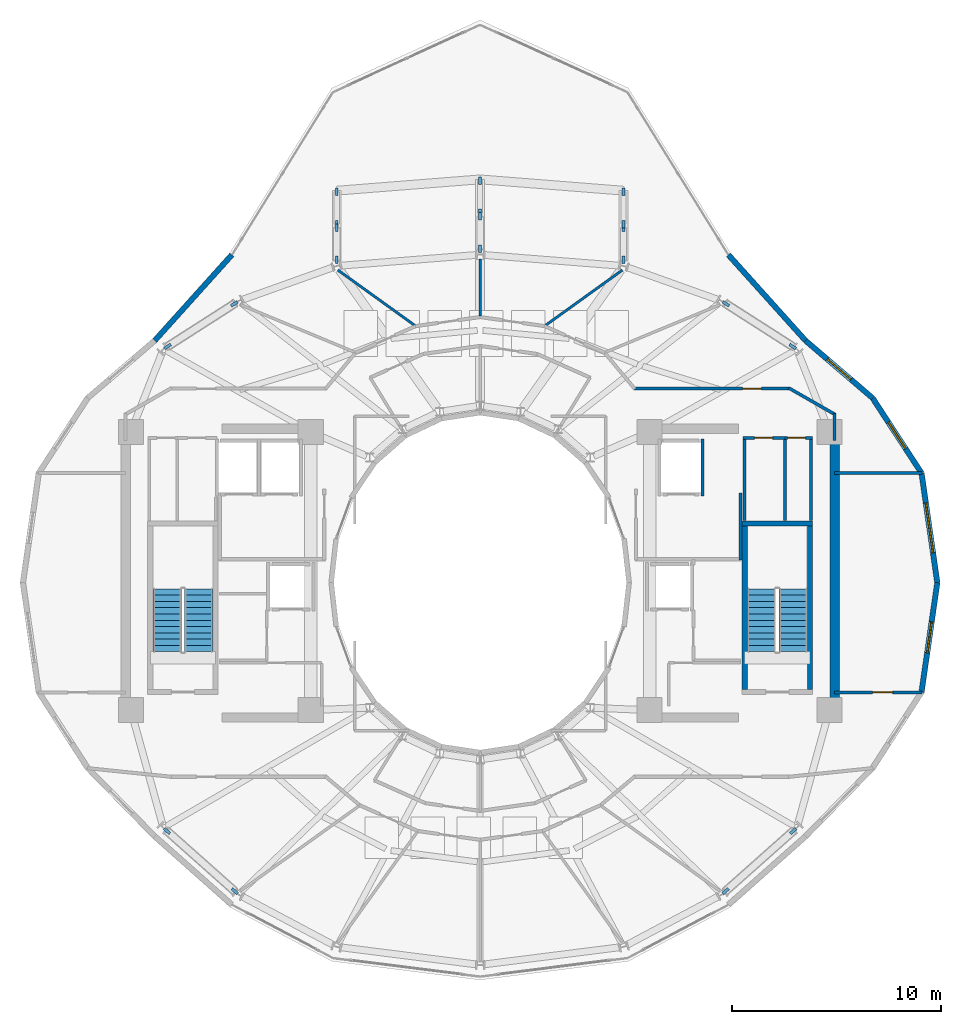
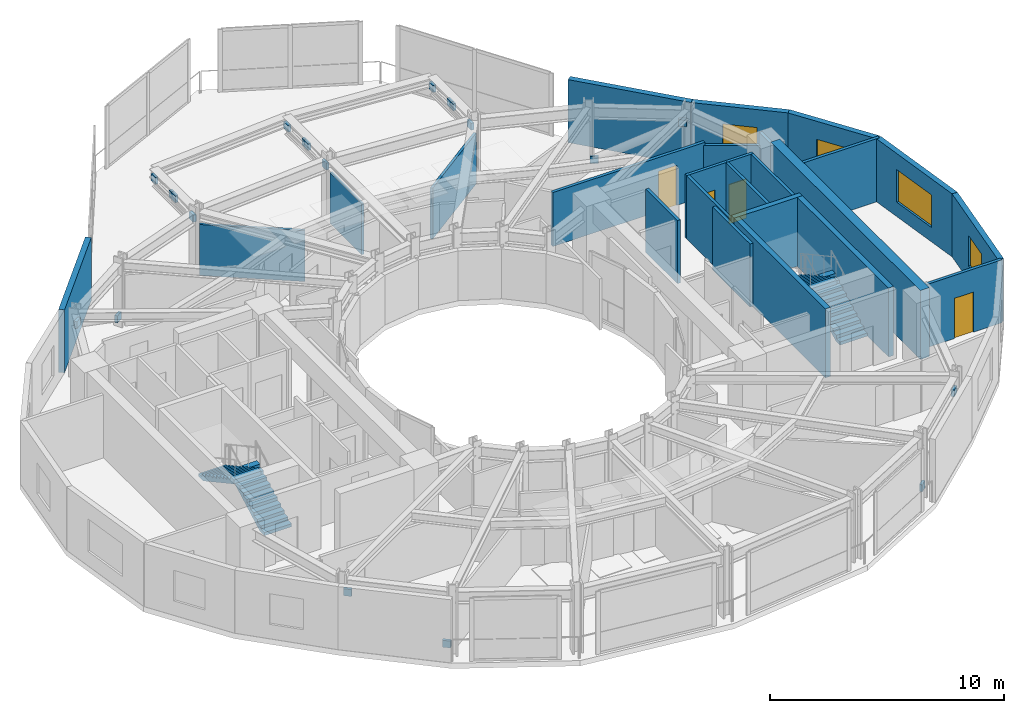
# One storey, part 21 of 24: 25 walls, 20 discrete accessories, 4 doors, 4 stair flights, 4 windows, 8 openings, 2 elements without a shape of their own.
"""IFC4 building model written with IfcOpenShell, lengths in metres."""

from ifc_helpers import new_model, si_unit, direction, frame, frame_2d, origin, origin_2d, place, context, subcontext, project, spatial, polyline, rectangle, outline, extrude, material, layer, layer_set, type_object, element, fill, aggregate, save


model = new_model("IFC4")

# Units and contexts
model_context = context("Model", 3, precision=1e-05, world=origin(), true_north=direction((0.0, 1.0)))
body_context = subcontext(model_context, "Body", "Model", "MODEL_VIEW")
ifc_project = project(units=[si_unit("LENGTHUNIT", "METRE"), si_unit("AREAUNIT", "SQUARE_METRE"), si_unit("VOLUMEUNIT", "CUBIC_METRE"), si_unit("PLANEANGLEUNIT", "RADIAN"), si_unit("MASSUNIT", "GRAM", prefix="KILO")], contexts=[model_context])

# Site, building, storey
site_placement = place(None, origin())
site = spatial("IfcSite", under=ifc_project, at=site_placement, CompositionType="ELEMENT")
building_placement = place(site_placement, origin())
building = spatial("IfcBuilding", under=site, at=building_placement, Name="Solvane Sanctuary Tower", CompositionType="ELEMENT")
storey_placement = place(building_placement, frame((0.0, 0.0, 246.0)))
storey = spatial("IfcBuildingStorey", under=building, at=storey_placement, Name="L75", CompositionType="ELEMENT", Elevation=246.0)

# Walls
ifc_material_1 = material(Name="Concrete C50/60", Category="concrete")
ifc_layer_1 = layer(ifc_material_1, 0.449951171875, Name="Concrete C50/60")
ifc_layer_set_1 = layer_set([ifc_layer_1], Name="Concrete C50/60")
wall_type_1 = type_object("IfcWallType", Name="Wall W-CORE-450", PredefinedType="SHEAR", material=ifc_layer_set_1)
wall_1_placement = place(storey_placement, frame((48.949951171875, 17.050048828125, 0.0), z_axis=(0.0, 0.0, 1.0), x_axis=(0.0, 1.0, 0.0)))
element("IfcWall", 1, at=wall_1_placement, inside=storey, type_object=wall_type_1, Name="L75 Core Shear Wall EC-E", PredefinedType="SHEAR", context=body_context, shape_type="SweptSolid", body=[
    extrude(rectangle(XDim=12.800048828125, YDim=0.449951171875, at=frame_2d((6.39990234375, 0.0))), origin(), (0.0, 0.0, 1.0), 3.60009765625),
])
ifc_material_2 = material(Name="Acoustic Gypsum Partition Board")
ifc_layer_2 = layer(ifc_material_2, 0.14990234375, Name="Acoustic Gypsum Partition Board")
ifc_layer_set_2 = layer_set([ifc_layer_2], Name="Acoustic Gypsum Partition Board")
wall_type_2 = type_object("IfcWallType", Name="Wall W-CORR-150", PredefinedType="PARTITIONING", material=ifc_layer_set_2)
wall_2_placement = place(storey_placement, frame((44.449951171875, 24.080078125, 0.0), z_axis=(0.0, 0.0, 1.0), x_axis=(0.0, 1.0, 0.0)))
element("IfcWall", 2, at=wall_2_placement, inside=storey, type_object=wall_type_2, Name="L75 East Firefighting Lobby East Wall", PredefinedType="PARTITIONING", context=body_context, shape_type="SweptSolid", body=[
    extrude(rectangle(XDim=3.199951171875, YDim=0.14990234375, at=frame_2d((1.60009765625, 0.0))), origin(), (0.0, 0.0, 1.0), 3.294921875),
])

# Wall, opening, door
wall_3_placement = place(storey_placement, frame((48.949951171875, 17.754638671875, 0.0), z_axis=(0.0, 0.0, 1.0), x_axis=(1.0, 0.0, 0.0)))
wall_3 = element("IfcWall", 3, at=wall_3_placement, inside=storey, type_object=wall_type_2, Name="L75 East Shoulder South Wall", PredefinedType="PARTITIONING", context=body_context, shape_type="SweptSolid", body=[
    extrude(rectangle(XDim=4.174560546875, YDim=0.14990234375, at=frame_2d((2.08740234375, 0.0))), origin(), (0.0, 0.0, 1.0), 3.294921875),
])
opening_1_placement = place(wall_3_placement, frame((1.817138671875, 0.0, 0.0)))
opening_1 = element("IfcOpeningElement", 4, at=opening_1_placement, cuts=wall_3, Name="Opening D-L75-17", PredefinedType="OPENING", context=body_context, shape_type="SweptSolid", body=[
    extrude(rectangle(XDim=0.949951171875, YDim=2.10009765625, at=frame_2d((0.47509765625, 1.050048828125))), frame((0.0, 0.0849609375, 0.0), z_axis=(0.0, -1.0, 0.0), x_axis=(1.0, 0.0, 0.0)), (0.0, 0.0, 1.0), 0.169921875),
])
ifc_material_3 = material(Name="Engineered Tropical Hardwood", Category="wood")
door_type_1 = type_object("IfcDoorType", Name="Door D-ROOM-950", OperationType="NOTDEFINED", PredefinedType="DOOR", material=ifc_material_3)
door_1_placement = place(opening_1_placement, origin())
door_1 = element("IfcDoor", 5, at=door_1_placement, inside=storey, type_object=door_type_1, Name="L75 East Shoulder South Door", OperationType="SINGLE_SWING_RIGHT", OverallHeight=2.10009765625, OverallWidth=0.949951171875, PredefinedType="DOOR", context=body_context, shape_type="SweptSolid", body=[
    extrude(rectangle(XDim=0.949951171875, YDim=2.10009765625, at=frame_2d((0.47509765625, 1.050048828125))), frame((0.0, 0.02490234375, 0.0), z_axis=(0.0, -1.0, 0.0), x_axis=(1.0, 0.0, 0.0)), (0.0, 0.0, 1.0), 0.050048828125),
])
fill(opening_1, door_1)

# Walls
wall_4_placement = place(storey_placement, frame((48.949951171875, 28.245361328125, 0.0), z_axis=(0.0, 0.0, 1.0), x_axis=(1.0, 0.0, 0.0)))
element("IfcWall", 6, at=wall_4_placement, inside=storey, type_object=wall_type_2, Name="L75 East Shoulder North Wall", PredefinedType="PARTITIONING", context=body_context, shape_type="SweptSolid", body=[
    extrude(rectangle(XDim=4.174560546875, YDim=0.14990234375, at=frame_2d((2.08740234375, 0.0))), origin(), (0.0, 0.0, 1.0), 3.294921875),
])
wall_5_placement = place(storey_placement, frame((48.949951171875, 29.800048828125, 0.0), z_axis=(0.0, 0.0, 1.0), x_axis=(0.0, 1.0, 0.0)))
element("IfcWall", 7, at=wall_5_placement, inside=storey, type_object=wall_type_2, Name="L75 NE Corner Closer 1", PredefinedType="PARTITIONING", context=body_context, shape_type="SweptSolid", body=[
    extrude(rectangle(XDim=1.2900390625, YDim=0.14990234375, at=frame_2d((0.64501953125, 0.0))), origin(), (0.0, 0.0, 1.0), 3.294921875),
])

# Wall, opening, door
wall_6_placement = place(storey_placement, frame((39.330078125, 32.280029296875, 0.0), z_axis=(0.0, 0.0, 1.0), x_axis=(1.0, 0.0, 0.0)))
wall_6 = element("IfcWall", 8, at=wall_6_placement, inside=storey, type_object=wall_type_2, Name="L75 NE Corner Corridor Wall", PredefinedType="PARTITIONING", context=body_context, shape_type="SweptSolid", body=[
    extrude(rectangle(XDim=7.52001953125, YDim=0.14990234375, at=frame_2d((3.760009765625, 0.0))), origin(), (0.0, 0.0, 1.0), 2.81591796875),
])
opening_2_placement = place(wall_6_placement, frame((5.219970703125, 0.0, 0.0)))
opening_2 = element("IfcOpeningElement", 9, at=opening_2_placement, cuts=wall_6, Name="Opening D-L75-19", PredefinedType="OPENING", context=body_context, shape_type="SweptSolid", body=[
    extrude(rectangle(XDim=0.89990234375, YDim=2.10009765625, at=frame_2d((0.449951171875, 1.050048828125))), frame((0.0, 0.0849609375, 0.0), z_axis=(0.0, -1.0, 0.0), x_axis=(1.0, 0.0, 0.0)), (0.0, 0.0, 1.0), 0.169921875),
])
door_type_2 = type_object("IfcDoorType", Name="Door D-WET-900", OperationType="NOTDEFINED", PredefinedType="DOOR", material=ifc_material_3)
door_2_placement = place(opening_2_placement, origin())
door_2 = element("IfcDoor", 10, at=door_2_placement, inside=storey, type_object=door_type_2, Name="L75 NE Corner Salon Door", OperationType="SINGLE_SWING_RIGHT", OverallHeight=2.10009765625, OverallWidth=0.89990234375, PredefinedType="DOOR", context=body_context, shape_type="SweptSolid", body=[
    extrude(rectangle(XDim=0.89990234375, YDim=2.10009765625, at=frame_2d((0.449951171875, 1.050048828125))), frame((0.0, 0.02490234375, 0.0), z_axis=(0.0, -1.0, 0.0), x_axis=(1.0, 0.0, 0.0)), (0.0, 0.0, 1.0), 0.050048828125),
])
fill(opening_2, door_2)

# Wall
wall_7_placement = place(storey_placement, frame((46.756591796875, 32.3046875, 0.0), z_axis=(0.0, 0.0, 1.0), x_axis=(0.867991349648, -0.496579315857, 0.0)))
element("IfcWall", 11, at=wall_7_placement, inside=storey, type_object=wall_type_2, Name="L75 NE Corner Wing Wall", PredefinedType="PARTITIONING", context=body_context, shape_type="SweptSolid", body=[
    extrude(rectangle(XDim=2.56689453125, YDim=0.14990234375, at=frame_2d((1.283447265625, 0.0))), origin(), (0.0, 0.0, 1.0), 2.659912109375),
])

# Wall, opening, window
ifc_material_4 = material(Name="Precast concrete C40/50", Category="concrete")
ifc_layer_3 = layer(ifc_material_4, 0.260009765625, Name="Precast concrete C40/50")
ifc_layer_set_3 = layer_set([ifc_layer_3], Name="Precast concrete C40/50")
wall_type_3 = type_object("IfcWallType", Name="Wall W-EXT-250", PredefinedType="STANDARD", material=ifc_layer_set_3)
wall_8_placement = place(storey_placement, frame((53.860107421875, 23.0, 0.0), z_axis=(0.0, 0.0, 1.0), x_axis=(-0.142712754019, 0.989764148593, 0.0)))
wall_8 = element("IfcWall", 12, at=wall_8_placement, inside=storey, type_object=wall_type_3, Name="L75 Ceramic-Printed Facade Wall 00", PredefinedType="STANDARD", context=body_context, shape_type="SweptSolid", body=[
    extrude(rectangle(XDim=5.29296875, YDim=0.260009765625, at=frame_2d((2.646484375, 0.0))), origin(), (0.0, 0.0, 1.0), 3.2900390625),
])
opening_3_placement = place(wall_8_placement, frame((1.446533203125, 0.0, 0.75)))
opening_3 = element("IfcOpeningElement", 13, at=opening_3_placement, cuts=wall_8, Name="Opening WN-RIB-2400", PredefinedType="OPENING", context=body_context, shape_type="SweptSolid", body=[
    extrude(rectangle(XDim=2.39990234375, YDim=1.699951171875, at=frame_2d((1.199951171875, 0.85009765625))), frame((0.0, 0.139892578125, 0.0), z_axis=(0.0, -1.0, 0.0), x_axis=(1.0, 0.0, 0.0)), (0.0, 0.0, 1.0), 0.280029296875),
])
ifc_material_5 = material(Name="Dark Ceramic-Fritted Low-E Glass", Category="glass")
window_type_1 = type_object("IfcWindowType", Name="Window WN-RIB-2400", PartitioningType="SINGLE_PANEL", PredefinedType="WINDOW", material=ifc_material_5)
window_1_placement = place(opening_3_placement, origin())
window_1 = element("IfcWindow", 14, at=window_1_placement, inside=storey, type_object=window_type_1, Name="L75 Operable Facade Window 00", OverallHeight=1.699951171875, OverallWidth=2.39990234375, PartitioningType="SINGLE_PANEL", PredefinedType="WINDOW", context=body_context, shape_type="SweptSolid", body=[
    extrude(rectangle(XDim=2.39990234375, YDim=1.699951171875, at=frame_2d((1.199951171875, 0.85009765625))), frame((0.0, 0.030029296875, 0.0), z_axis=(0.0, -1.0, 0.0), x_axis=(1.0, 0.0, 0.0)), (0.0, 0.0, 1.0), 0.06005859375),
])
fill(opening_3, window_1)

wall_9_placement = place(storey_placement, frame((53.104736328125, 28.23876953125, 0.0), z_axis=(0.0, 0.0, 1.0), x_axis=(-0.546606419826, 0.837389647539, 0.0)))
wall_9 = element("IfcWall", 15, at=wall_9_placement, inside=storey, type_object=wall_type_3, Name="L75 Ceramic-Printed Facade Wall 01", PredefinedType="STANDARD", context=body_context, shape_type="SweptSolid", body=[
    extrude(rectangle(XDim=4.287841796875, YDim=0.260009765625, at=frame_2d((2.14404296875, 0.0))), origin(), (0.0, 0.0, 1.0), 3.2900390625),
])
opening_4_placement = place(wall_9_placement, frame((1.393798828125, 0.0, 0.75)))
opening_4 = element("IfcOpeningElement", 16, at=opening_4_placement, cuts=wall_9, Name="Opening WN-OPER-1500", PredefinedType="OPENING", context=body_context, shape_type="SweptSolid", body=[
    extrude(rectangle(XDim=1.5, YDim=1.60009765625, at=frame_2d((0.75, 0.800048828125))), frame((0.0, 0.139892578125, 0.0), z_axis=(0.0, -1.0, 0.0), x_axis=(1.0, 0.0, 0.0)), (0.0, 0.0, 1.0), 0.280029296875),
])
window_type_2 = type_object("IfcWindowType", Name="Window WN-OPER-1500", PartitioningType="SINGLE_PANEL", PredefinedType="WINDOW", material=ifc_material_5)
window_2_placement = place(opening_4_placement, origin())
window_2 = element("IfcWindow", 17, at=window_2_placement, inside=storey, type_object=window_type_2, Name="L75 Operable Facade Window 01", OverallHeight=1.60009765625, OverallWidth=1.5, PartitioningType="SINGLE_PANEL", PredefinedType="WINDOW", context=body_context, shape_type="SweptSolid", body=[
    extrude(rectangle(XDim=1.5, YDim=1.60009765625, at=frame_2d((0.75, 0.800048828125))), frame((0.0, 0.030029296875, 0.0), z_axis=(0.0, -1.0, 0.0), x_axis=(1.0, 0.0, 0.0)), (0.0, 0.0, 1.0), 0.06005859375),
])
fill(opening_4, window_2)

wall_10_placement = place(storey_placement, frame((50.760986328125, 31.829345703125, 0.0), z_axis=(0.0, 0.0, 1.0), x_axis=(-0.759587504333, 0.650405122413, 0.0)))
wall_10 = element("IfcWall", 18, at=wall_10_placement, inside=storey, type_object=wall_type_3, Name="L75 Ceramic-Printed Facade Wall 02", PredefinedType="STANDARD", context=body_context, shape_type="SweptSolid", body=[
    extrude(rectangle(XDim=4.21728515625, YDim=0.260009765625, at=frame_2d((2.108642578125, 0.0))), origin(), (0.0, 0.0, 1.0), 3.2900390625),
])
opening_5_placement = place(wall_10_placement, frame((1.358642578125, 0.0, 0.75)))
opening_5 = element("IfcOpeningElement", 19, at=opening_5_placement, cuts=wall_10, Name="Opening WN-OPER-1500", PredefinedType="OPENING", context=body_context, shape_type="SweptSolid", body=[
    extrude(rectangle(XDim=1.5, YDim=1.60009765625, at=frame_2d((0.75, 0.800048828125))), frame((0.0, 0.139892578125, 0.0), z_axis=(0.0, -1.0, 0.0), x_axis=(1.0, 0.0, 0.0)), (0.0, 0.0, 1.0), 0.280029296875),
])
window_3_placement = place(opening_5_placement, origin())
window_3 = element("IfcWindow", 20, at=window_3_placement, inside=storey, type_object=window_type_2, Name="L75 Operable Facade Window 02", OverallHeight=1.60009765625, OverallWidth=1.5, PartitioningType="SINGLE_PANEL", PredefinedType="WINDOW", context=body_context, shape_type="SweptSolid", body=[
    extrude(rectangle(XDim=1.5, YDim=1.60009765625, at=frame_2d((0.75, 0.800048828125))), frame((0.0, 0.030029296875, 0.0), z_axis=(0.0, -1.0, 0.0), x_axis=(1.0, 0.0, 0.0)), (0.0, 0.0, 1.0), 0.06005859375),
])
fill(opening_5, window_3)

# Walls
for number, where, z_axis, x_axis, name in (
    (21, (47.5576171875, 34.572265625, 0.0), (0.0, 0.0, 1.0), (-0.668903560134, 0.743349196031, 0.0), "L75 Ceramic-Printed Facade Wall 03"),
    (22, (20.1298828125, 38.670166015625, 0.0), (0.0, 0.0, 1.0), (-0.668903560134, -0.743349196031, 0.0), "L75 Ceramic-Printed Facade Wall 08"),
):
    element("IfcWall", number, at=place(storey_placement, frame(where, z_axis=z_axis, x_axis=x_axis)), inside=storey, type_object=wall_type_3, Name=name, PredefinedType="STANDARD", context=body_context, shape_type="SweptSolid", body=[
        extrude(rectangle(XDim=5.5126953125, YDim=0.260009765625, at=frame_2d((2.75634765625, 0.0))), origin(), (0.0, 0.0, 1.0), 3.2900390625),
    ])

# Wall, opening, window
wall_11_placement = place(storey_placement, frame((53.104736328125, 17.76123046875, 0.0), z_axis=(0.0, 0.0, 1.0), x_axis=(0.142712754019, 0.989764148593, 0.0)))
wall_11 = element("IfcWall", 23, at=wall_11_placement, inside=storey, type_object=wall_type_3, Name="L75 Ceramic-Printed Facade Wall 23", PredefinedType="STANDARD", context=body_context, shape_type="SweptSolid", body=[
    extrude(rectangle(XDim=5.29296875, YDim=0.260009765625, at=frame_2d((2.646484375, 0.0))), origin(), (0.0, 0.0, 1.0), 3.2900390625),
])
opening_6_placement = place(wall_11_placement, frame((1.896484375, 0.0, 0.75)))
opening_6 = element("IfcOpeningElement", 24, at=opening_6_placement, cuts=wall_11, Name="Opening WN-OPER-1500", PredefinedType="OPENING", context=body_context, shape_type="SweptSolid", body=[
    extrude(rectangle(XDim=1.5, YDim=1.60009765625, at=frame_2d((0.75, 0.800048828125))), frame((0.0, 0.139892578125, 0.0), z_axis=(0.0, -1.0, 0.0), x_axis=(1.0, 0.0, 0.0)), (0.0, 0.0, 1.0), 0.280029296875),
])
window_4_placement = place(opening_6_placement, origin())
window_4 = element("IfcWindow", 25, at=window_4_placement, inside=storey, type_object=window_type_2, Name="L75 Operable Facade Window 23", OverallHeight=1.60009765625, OverallWidth=1.5, PartitioningType="SINGLE_PANEL", PredefinedType="WINDOW", context=body_context, shape_type="SweptSolid", body=[
    extrude(rectangle(XDim=1.5, YDim=1.60009765625, at=frame_2d((0.75, 0.800048828125))), frame((0.0, 0.030029296875, 0.0), z_axis=(0.0, -1.0, 0.0), x_axis=(1.0, 0.0, 0.0)), (0.0, 0.0, 1.0), 0.06005859375),
])
fill(opening_6, window_4)

# Walls
ifc_layer_4 = layer(ifc_material_2, 0.1201171875, Name="Acoustic Gypsum Partition Board")
ifc_layer_set_4 = layer_set([ifc_layer_4], Name="Acoustic Gypsum Partition Board")
wall_type_4 = type_object("IfcWallType", Name="Wall W-MOV-100", PredefinedType="MOVABLE", material=ifc_layer_set_4)
wall_12_placement = place(storey_placement, frame((35.1240234375, 35.29736328125, 0.0), z_axis=(0.0, 0.0, 1.0), x_axis=(0.811745719064, 0.584011033783, 0.0)))
element("IfcWall", 26, at=wall_12_placement, inside=storey, type_object=wall_type_4, Name="L75 Sky Hall Radial Partition 075", PredefinedType="MOVABLE", context=body_context, shape_type="SweptSolid", body=[
    extrude(rectangle(XDim=4.53369140625, YDim=0.1201171875, at=frame_2d((2.266845703125, 0.0))), origin(), (0.0, 0.0, 1.0), 2.659912109375),
])
wall_13_placement = place(storey_placement, frame((32.0, 35.7529296875, 0.0), z_axis=(0.0, 0.0, 1.0), x_axis=(0.0, 1.0, 0.0)))
element("IfcWall", 27, at=wall_13_placement, inside=storey, type_object=wall_type_4, Name="L75 Sky Hall Radial Partition 090", PredefinedType="MOVABLE", context=body_context, shape_type="SweptSolid", body=[
    extrude(rectangle(XDim=2.72705078125, YDim=0.1201171875, at=frame_2d((1.363525390625, 0.0))), origin(), (0.0, 0.0, 1.0), 2.659912109375),
])
wall_14_placement = place(storey_placement, frame((28.8759765625, 35.29736328125, 0.0), z_axis=(0.0, 0.0, 1.0), x_axis=(-0.811745719064, 0.584011033783, 0.0)))
element("IfcWall", 28, at=wall_14_placement, inside=storey, type_object=wall_type_4, Name="L75 Sky Hall Radial Partition 105", PredefinedType="MOVABLE", context=body_context, shape_type="SweptSolid", body=[
    extrude(rectangle(XDim=4.53369140625, YDim=0.1201171875, at=frame_2d((2.266845703125, 0.0))), origin(), (0.0, 0.0, 1.0), 2.659912109375),
])
ifc_layer_5 = layer(ifc_material_1, 0.14990234375, Name="Concrete C50/60")
ifc_layer_set_5 = layer_set([ifc_layer_5], Name="Concrete C50/60")
wall_type_5 = type_object("IfcWallType", Name="Wall W-SHAFT-150", PredefinedType="SOLIDWALL", material=ifc_layer_set_5)
wall_15_placement = place(storey_placement, frame((42.6298828125, 27.139892578125, 0.0), z_axis=(0.0, 0.0, 1.0), x_axis=(0.0, 1.0, 0.0)))
element("IfcWall", 29, at=wall_15_placement, inside=storey, type_object=wall_type_5, Name="L75 FFL-2 Lift Shaft Wall S2", PredefinedType="SOLIDWALL", context=body_context, shape_type="SweptSolid", body=[
    extrude(rectangle(XDim=2.72021484375, YDim=0.14990234375, at=frame_2d((1.360107421875, 0.0))), origin(), (0.0, 0.0, 1.0), 3.294921875),
])
ifc_layer_6 = layer(ifc_material_1, 0.25, Name="Concrete C50/60")
ifc_layer_set_6 = layer_set([ifc_layer_6], Name="Concrete C50/60")
wall_type_6 = type_object("IfcWallType", Name="Wall W-SHAFT-250", PredefinedType="SOLIDWALL", material=ifc_layer_set_6)
wall_16_placement = place(storey_placement, frame((44.52490234375, 25.830078125, 0.0), z_axis=(0.0, 0.0, 1.0), x_axis=(1.0, 0.0, 0.0)))
element("IfcWall", 30, at=wall_16_placement, inside=storey, type_object=wall_type_6, Name="L75 ST-2 Load-Bearing Shaft Wall N", PredefinedType="SOLIDWALL", context=body_context, shape_type="SweptSolid", body=[
    extrude(rectangle(XDim=3.3701171875, YDim=0.25, at=frame_2d((1.68505859375, 0.0))), origin(), (0.0, 0.0, 1.0), 3.60009765625),
])
for number, where, z_axis, x_axis, name in (
    (31, (44.64990234375, 17.89501953125, 0.0), (0.0, 0.0, 1.0), (0.0, 1.0, 0.0), "L75 ST-2 Load-Bearing Shaft Wall W"),
    (32, (47.77001953125, 17.89501953125, 0.0), (0.0, 0.0, 1.0), (0.0, 1.0, 0.0), "L75 ST-2 Load-Bearing Shaft Wall E"),
):
    element("IfcWall", number, at=place(storey_placement, frame(where, z_axis=z_axis, x_axis=x_axis)), inside=storey, type_object=wall_type_6, Name=name, PredefinedType="SOLIDWALL", context=body_context, shape_type="SweptSolid", body=[
        extrude(rectangle(XDim=7.81005859375, YDim=0.25, at=frame_2d((3.905029296875, 0.0))), origin(), (0.0, 0.0, 1.0), 3.60009765625),
    ])

# Wall, opening, door
ifc_layer_7 = layer(ifc_material_2, 0.139892578125, Name="Acoustic Gypsum Partition Board")
ifc_layer_set_7 = layer_set([ifc_layer_7], Name="Acoustic Gypsum Partition Board")
wall_type_7 = type_object("IfcWallType", Name="Wall W-WET-140", PredefinedType="PLUMBINGWALL", material=ifc_layer_set_7)
wall_17_placement = place(storey_placement, frame((44.580078125, 29.919921875, 0.0), z_axis=(0.0, 0.0, 1.0), x_axis=(1.0, 0.0, 0.0)))
wall_17 = element("IfcWall", 33, at=wall_17_placement, inside=storey, type_object=wall_type_7, Name="L75 Core Service Front Wall KE1", PredefinedType="PLUMBINGWALL", context=body_context, shape_type="SweptSolid", body=[
    extrude(rectangle(XDim=2.0, YDim=0.139892578125, at=frame_2d((1.0, 0.0))), origin(), (0.0, 0.0, 1.0), 3.294921875),
])
opening_7_placement = place(wall_17_placement, frame((0.550048828125, 0.0, 0.0)))
opening_7 = element("IfcOpeningElement", 34, at=opening_7_placement, cuts=wall_17, Name="Opening D-L75-11", PredefinedType="OPENING", context=body_context, shape_type="SweptSolid", body=[
    extrude(rectangle(XDim=0.85009765625, YDim=2.050048828125, at=frame_2d((0.425048828125, 1.02490234375))), frame((0.0, 0.079833984375, 0.0), z_axis=(0.0, -1.0, 0.0), x_axis=(1.0, 0.0, 0.0)), (0.0, 0.0, 1.0), 0.159912109375),
])
ifc_material_6 = material(Name="Architectural Stainless Steel 316", Category="steel")
door_type_3 = type_object("IfcDoorType", Name="Door D-RISER", OperationType="NOTDEFINED", PredefinedType="DOOR", material=ifc_material_6)
door_3_placement = place(opening_7_placement, origin())
door_3 = element("IfcDoor", 35, at=door_3_placement, inside=storey, type_object=door_type_3, Name="L75 Core Service Room Door KE1-1", OperationType="SINGLE_SWING_RIGHT", OverallHeight=2.050048828125, OverallWidth=0.85009765625, PredefinedType="DOOR", context=body_context, shape_type="SweptSolid", body=[
    extrude(rectangle(XDim=0.85009765625, YDim=2.050048828125, at=frame_2d((0.425048828125, 1.02490234375))), frame((0.0, 0.02490234375, 0.0), z_axis=(0.0, -1.0, 0.0), x_axis=(1.0, 0.0, 0.0)), (0.0, 0.0, 1.0), 0.050048828125),
])
fill(opening_7, door_3)

# Walls
for number, where, z_axis, x_axis, name in (
    (36, (44.639892578125, 25.97998046875, 0.0), (0.0, 0.0, 1.0), (0.0, 1.0, 0.0), "L75 Core Service Side Wall KE1-1"),
    (37, (46.580078125, 25.97998046875, 0.0), (0.0, 0.0, 1.0), (0.0, 1.0, 0.0), "L75 Core Service Side Wall KE1-2"),
):
    element("IfcWall", number, at=place(storey_placement, frame(where, z_axis=z_axis, x_axis=x_axis)), inside=storey, type_object=wall_type_7, Name=name, PredefinedType="PLUMBINGWALL", context=body_context, shape_type="SweptSolid", body=[
        extrude(rectangle(XDim=3.880126953125, YDim=0.139892578125, at=frame_2d((1.93994140625, 0.0))), origin(), (0.0, 0.0, 1.0), 3.294921875),
    ])

# Wall, opening, door
wall_18_placement = place(storey_placement, frame((46.580078125, 29.919921875, 0.0), z_axis=(0.0, 0.0, 1.0), x_axis=(1.0, 0.0, 0.0)))
wall_18 = element("IfcWall", 38, at=wall_18_placement, inside=storey, type_object=wall_type_7, Name="L75 Core Service Front Wall KE2", PredefinedType="PLUMBINGWALL", context=body_context, shape_type="SweptSolid", body=[
    extrude(rectangle(XDim=1.2998046875, YDim=0.139892578125, at=frame_2d((0.64990234375, 0.0))), origin(), (0.0, 0.0, 1.0), 3.294921875),
])
opening_8_placement = place(wall_18_placement, frame((0.1201171875, 0.0, 0.0)))
opening_8 = element("IfcOpeningElement", 39, at=opening_8_placement, cuts=wall_18, Name="Opening D-L75-12", PredefinedType="OPENING", context=body_context, shape_type="SweptSolid", body=[
    extrude(rectangle(XDim=0.85009765625, YDim=2.050048828125, at=frame_2d((0.425048828125, 1.02490234375))), frame((0.0, 0.079833984375, 0.0), z_axis=(0.0, -1.0, 0.0), x_axis=(1.0, 0.0, 0.0)), (0.0, 0.0, 1.0), 0.159912109375),
])
door_4_placement = place(opening_8_placement, origin())
door_4 = element("IfcDoor", 40, at=door_4_placement, inside=storey, type_object=door_type_3, Name="L75 Core Service Room Door KE2-1", OperationType="SINGLE_SWING_LEFT", OverallHeight=2.050048828125, OverallWidth=0.85009765625, PredefinedType="DOOR", context=body_context, shape_type="SweptSolid", body=[
    extrude(rectangle(XDim=0.85009765625, YDim=2.050048828125, at=frame_2d((0.425048828125, 1.02490234375))), frame((0.0, 0.02490234375, 0.0), z_axis=(0.0, -1.0, 0.0), x_axis=(1.0, 0.0, 0.0)), (0.0, 0.0, 1.0), 0.050048828125),
])
fill(opening_8, door_4)

# Wall
wall_19_placement = place(storey_placement, frame((47.820068359375, 25.97998046875, 0.0), z_axis=(0.0, 0.0, 1.0), x_axis=(0.0, 1.0, 0.0)))
element("IfcWall", 41, at=wall_19_placement, inside=storey, type_object=wall_type_7, Name="L75 Core Service Side Wall KE2-1", PredefinedType="PLUMBINGWALL", context=body_context, shape_type="SweptSolid", body=[
    extrude(rectangle(XDim=3.880126953125, YDim=0.139892578125, at=frame_2d((1.93994140625, 0.0))), origin(), (0.0, 0.0, 1.0), 3.294921875),
])

# Stair, stair flights
ifc_material_7 = material(Name="Concrete C45/55", Category="concrete")
stair_type = type_object("IfcStairType", Name="Stair ST-TOW", PredefinedType="HALF_TURN_STAIR", material=ifc_material_7)
stair_1_placement = place(storey_placement, origin())
stair_1 = element("IfcStair", 42, at=stair_1_placement, inside=storey, type_object=stair_type, Name="L75 Exit Stair ST-1 West Core", PredefinedType="HALF_TURN_STAIR")
stair_flight_type = type_object("IfcStairFlightType", Name="StairFlight SF-TOW", PredefinedType="STRAIGHT", material=ifc_material_7)
stair_flight_1_placement = place(storey_placement, frame((18.544921875, 19.699951171875, 0.0), z_axis=(0.0, 0.0, 1.0), x_axis=(0.0, 1.0, 0.0)))
stair_flight_1 = element("IfcStairFlight", 43, at=stair_flight_1_placement, type_object=stair_flight_type, Name="ST-1 flight 1", NumberOfRisers=11, NumberOfTreads=10, PredefinedType="STRAIGHT", RiserHeight=0.163636364, TreadLength=0.3, context=body_context, shape_type="SweptSolid", body=[
    extrude(outline(polyline([(0.0, 0.0), (0.0, 0.16357421875), (0.300048828125, 0.16357421875), (0.300048828125, 0.327392578125), (0.60009765625, 0.327392578125), (0.60009765625, 0.490966796875), (0.89990234375, 0.490966796875), (0.89990234375, 0.654541015625), (1.199951171875, 0.654541015625), (1.199951171875, 0.818115234375), (1.5, 0.818115234375), (1.5, 0.98193359375), (1.800048828125, 0.98193359375), (1.800048828125, 1.1455078125), (2.10009765625, 1.1455078125), (2.10009765625, 1.30908203125), (2.39990234375, 1.30908203125), (2.39990234375, 1.47265625), (2.699951171875, 1.47265625), (2.699951171875, 1.636474609375), (3.0, 1.636474609375), (3.0, 1.800048828125), (3.0, 1.431396484375), (0.375732421875, 0.0), (0.0, 0.0)])), frame((0.0, 0.675048828125, 0.0), z_axis=(0.0, -1.0, 0.0), x_axis=(1.0, 0.0, 0.0)), (0.0, 0.0, 1.0), 1.35009765625),
])
stair_flight_2_placement = place(storey_placement, frame((17.034912109375, 22.699951171875, 1.800048828125), z_axis=(0.0, 0.0, 1.0), x_axis=(0.0, -1.0, 0.0)))
stair_flight_2 = element("IfcStairFlight", 44, at=stair_flight_2_placement, type_object=stair_flight_type, Name="ST-1 flight 2", NumberOfRisers=11, NumberOfTreads=10, PredefinedType="STRAIGHT", RiserHeight=0.163636364, TreadLength=0.3, context=body_context, shape_type="SweptSolid", body=[
    extrude(outline(polyline([(0.0, 0.0), (0.0, 0.16357421875), (0.300048828125, 0.16357421875), (0.300048828125, 0.327392578125), (0.60009765625, 0.327392578125), (0.60009765625, 0.490966796875), (0.89990234375, 0.490966796875), (0.89990234375, 0.654541015625), (1.199951171875, 0.654541015625), (1.199951171875, 0.818115234375), (1.5, 0.818115234375), (1.5, 0.98193359375), (1.800048828125, 0.98193359375), (1.800048828125, 1.1455078125), (2.10009765625, 1.1455078125), (2.10009765625, 1.30908203125), (2.39990234375, 1.30908203125), (2.39990234375, 1.47265625), (2.699951171875, 1.47265625), (2.699951171875, 1.636474609375), (3.0, 1.636474609375), (3.0, 1.800048828125), (3.0, 1.431396484375), (0.375732421875, 0.0), (0.0, 0.0)])), frame((0.0, 0.675048828125, 0.0), z_axis=(0.0, -1.0, 0.0), x_axis=(1.0, 0.0, 0.0)), (0.0, 0.0, 1.0), 1.35009765625),
])
aggregate(stair_1, [stair_flight_1, stair_flight_2])

stair_2_placement = place(storey_placement, origin())
stair_2 = element("IfcStair", 45, at=stair_2_placement, inside=storey, type_object=stair_type, Name="L75 Exit Stair ST-2 East Core", PredefinedType="HALF_TURN_STAIR")
stair_flight_3_placement = place(storey_placement, frame((46.965087890625, 19.699951171875, 0.0), z_axis=(0.0, 0.0, 1.0), x_axis=(0.0, 1.0, 0.0)))
stair_flight_3 = element("IfcStairFlight", 46, at=stair_flight_3_placement, type_object=stair_flight_type, Name="ST-2 flight 1", NumberOfRisers=11, NumberOfTreads=10, PredefinedType="STRAIGHT", RiserHeight=0.163636364, TreadLength=0.3, context=body_context, shape_type="SweptSolid", body=[
    extrude(outline(polyline([(0.0, 0.0), (0.0, 0.16357421875), (0.300048828125, 0.16357421875), (0.300048828125, 0.327392578125), (0.60009765625, 0.327392578125), (0.60009765625, 0.490966796875), (0.89990234375, 0.490966796875), (0.89990234375, 0.654541015625), (1.199951171875, 0.654541015625), (1.199951171875, 0.818115234375), (1.5, 0.818115234375), (1.5, 0.98193359375), (1.800048828125, 0.98193359375), (1.800048828125, 1.1455078125), (2.10009765625, 1.1455078125), (2.10009765625, 1.30908203125), (2.39990234375, 1.30908203125), (2.39990234375, 1.47265625), (2.699951171875, 1.47265625), (2.699951171875, 1.636474609375), (3.0, 1.636474609375), (3.0, 1.800048828125), (3.0, 1.431396484375), (0.375732421875, 0.0), (0.0, 0.0)])), frame((0.0, 0.675048828125, 0.0), z_axis=(0.0, -1.0, 0.0), x_axis=(1.0, 0.0, 0.0)), (0.0, 0.0, 1.0), 1.35009765625),
])
stair_flight_4_placement = place(storey_placement, frame((45.455078125, 22.699951171875, 1.800048828125), z_axis=(0.0, 0.0, 1.0), x_axis=(0.0, -1.0, 0.0)))
stair_flight_4 = element("IfcStairFlight", 47, at=stair_flight_4_placement, type_object=stair_flight_type, Name="ST-2 flight 2", NumberOfRisers=11, NumberOfTreads=10, PredefinedType="STRAIGHT", RiserHeight=0.163636364, TreadLength=0.3, context=body_context, shape_type="SweptSolid", body=[
    extrude(outline(polyline([(0.0, 0.0), (0.0, 0.16357421875), (0.300048828125, 0.16357421875), (0.300048828125, 0.327392578125), (0.60009765625, 0.327392578125), (0.60009765625, 0.490966796875), (0.89990234375, 0.490966796875), (0.89990234375, 0.654541015625), (1.199951171875, 0.654541015625), (1.199951171875, 0.818115234375), (1.5, 0.818115234375), (1.5, 0.98193359375), (1.800048828125, 0.98193359375), (1.800048828125, 1.1455078125), (2.10009765625, 1.1455078125), (2.10009765625, 1.30908203125), (2.39990234375, 1.30908203125), (2.39990234375, 1.47265625), (2.699951171875, 1.47265625), (2.699951171875, 1.636474609375), (3.0, 1.636474609375), (3.0, 1.800048828125), (3.0, 1.431396484375), (0.375732421875, 0.0), (0.0, 0.0)])), frame((0.0, 0.675048828125, 0.0), z_axis=(0.0, -1.0, 0.0), x_axis=(1.0, 0.0, 0.0)), (0.0, 0.0, 1.0), 1.35009765625),
])
aggregate(stair_2, [stair_flight_3, stair_flight_4])

# Discrete accessories
ifc_material_8 = material(Name="Steel ASTM A572 Grade 50", Category="steel")
ifc_layer_8 = layer(ifc_material_8, 0.360107421875, Name="Steel ASTM A572 Grade 50")
ifc_layer_set_8 = layer_set([ifc_layer_8], Name="Steel ASTM A572 Grade 50")
discrete_accessory_type = type_object("IfcDiscreteAccessoryType", Name="Accessory ACC-GUSSET-BRK", PredefinedType="BRACKET", material=ifc_layer_set_8)
for number, where, z_axis, x_axis, name in (
    (48, (43.7548828125, 36.329345703125, 0.32861328125), (0.0, 0.0, 1.0), (0.842264279204, -0.539064823539, 0.0), "L75 Perimeter Braced-Tube Diagonal NE End Gusset Bracket A"),
    (49, (46.940673828125, 34.2900390625, 2.37841796875), (0.0, 0.0, 1.0), (0.842264279204, -0.539064823539, 0.0), "L75 Perimeter Braced-Tube Diagonal NE End Gusset Bracket B"),
    (50, (20.2451171875, 36.329345703125, 0.32861328125), (0.0, 0.0, 1.0), (-0.842264279204, -0.539064823539, 0.0), "L75 Perimeter Braced-Tube Diagonal NW End Gusset Bracket A"),
    (51, (17.059326171875, 34.2900390625, 2.37841796875), (0.0, 0.0, 1.0), (-0.842264279204, -0.539064823539, 0.0), "L75 Perimeter Braced-Tube Diagonal NW End Gusset Bracket B"),
    (52, (20.26416015625, 8.2470703125, 0.31640625), (0.0, 0.0, 1.0), (-0.747218420912, 0.664578536706, 0.0), "L75 Perimeter Braced-Tube Diagonal SW End Gusset Bracket A"),
    (53, (17.032470703125, 11.121337890625, 2.39599609375), (0.0, 0.0, 1.0), (-0.747218420912, 0.664578536706, 0.0), "L75 Perimeter Braced-Tube Diagonal SW End Gusset Bracket B"),
    (54, (43.73583984375, 8.2470703125, 0.31640625), (0.0, 0.0, 1.0), (0.747218420912, 0.664578536706, 0.0), "L75 Perimeter Braced-Tube Diagonal SE End Gusset Bracket A"),
    (55, (46.967529296875, 11.121337890625, 2.39599609375), (0.0, 0.0, 1.0), (0.747218420912, 0.664578536706, 0.0), "L75 Perimeter Braced-Tube Diagonal SE End Gusset Bracket B"),
    (56, (25.143798828125, 38.4267578125, 2.58837890625), (0.0, 0.0, 1.0), (0.0, 1.0, 0.0), "L75 Sky-Dining Truss Diagonal C05-P1 End Gusset Bracket A"),
    (57, (25.143798828125, 39.967529296875, 2.6689453125), (0.0, 0.0, 1.0), (0.0, 1.0, 0.0), "L75 Sky-Dining Truss Diagonal C05-P1 End Gusset Bracket B"),
    (58, (25.143798828125, 40.137451171875, 2.6689453125), (0.0, 0.0, 1.0), (0.0, 1.0, 0.0), "L75 Sky-Dining Truss Web Post C05-P1 End Gusset Bracket A"),
    (59, (25.143798828125, 41.67822265625, 2.58837890625), (0.0, 0.0, 1.0), (0.0, 1.0, 0.0), "L75 Sky-Dining Truss Web Post C05-P1 End Gusset Bracket B"),
    (60, (32.0, 38.9609375, 2.58837890625), (0.0, 0.0, 1.0), (0.0, 1.0, 0.0), "L75 Sky-Dining Truss Diagonal C04-P1 End Gusset Bracket A"),
    (61, (32.0, 40.505615234375, 2.6689453125), (0.0, 0.0, 1.0), (0.0, 1.0, 0.0), "L75 Sky-Dining Truss Diagonal C04-P1 End Gusset Bracket B"),
    (62, (32.0, 40.67529296875, 2.6689453125), (0.0, 0.0, 1.0), (0.0, 1.0, 0.0), "L75 Sky-Dining Truss Web Post C04-P1 End Gusset Bracket A"),
    (63, (32.0, 42.219970703125, 2.58837890625), (0.0, 0.0, 1.0), (0.0, 1.0, 0.0), "L75 Sky-Dining Truss Web Post C04-P1 End Gusset Bracket B"),
    (64, (38.856201171875, 38.4267578125, 2.58837890625), (0.0, 0.0, 1.0), (0.0, 1.0, 0.0), "L75 Sky-Dining Truss Diagonal C03-P1 End Gusset Bracket A"),
    (65, (38.856201171875, 39.967529296875, 2.6689453125), (0.0, 0.0, 1.0), (0.0, 1.0, 0.0), "L75 Sky-Dining Truss Diagonal C03-P1 End Gusset Bracket B"),
    (66, (38.856201171875, 40.137451171875, 2.6689453125), (0.0, 0.0, 1.0), (0.0, 1.0, 0.0), "L75 Sky-Dining Truss Web Post C03-P1 End Gusset Bracket A"),
    (67, (38.856201171875, 41.67822265625, 2.58837890625), (0.0, 0.0, 1.0), (0.0, 1.0, 0.0), "L75 Sky-Dining Truss Web Post C03-P1 End Gusset Bracket B"),
):
    element("IfcDiscreteAccessory", number, at=place(storey_placement, frame(where, z_axis=z_axis, x_axis=x_axis)), inside=storey, type_object=discrete_accessory_type, Name=name, PredefinedType="BRACKET", context=body_context, shape_type="SweptSolid", body=[
        extrude(rectangle(XDim=0.360107421875, YDim=0.139892578125, at=origin_2d()), origin(), (0.0, 0.0, 1.0), 0.360107421875),
    ])

save(model, "model.ifc")
